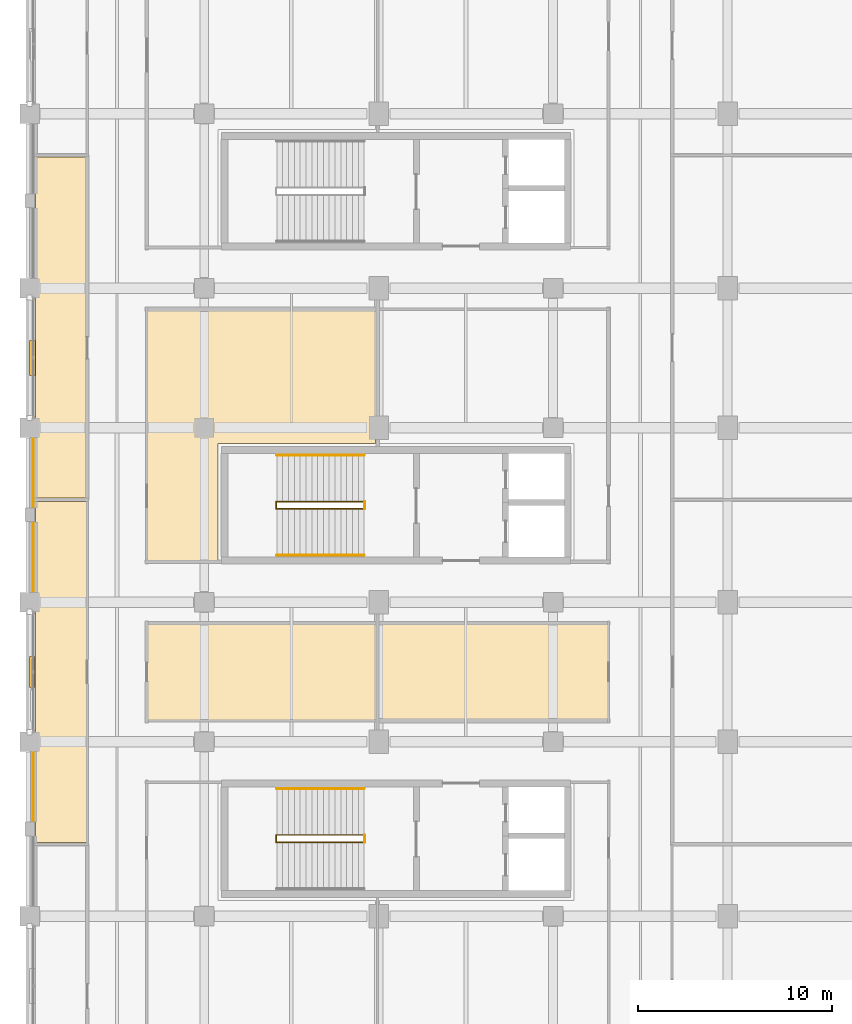
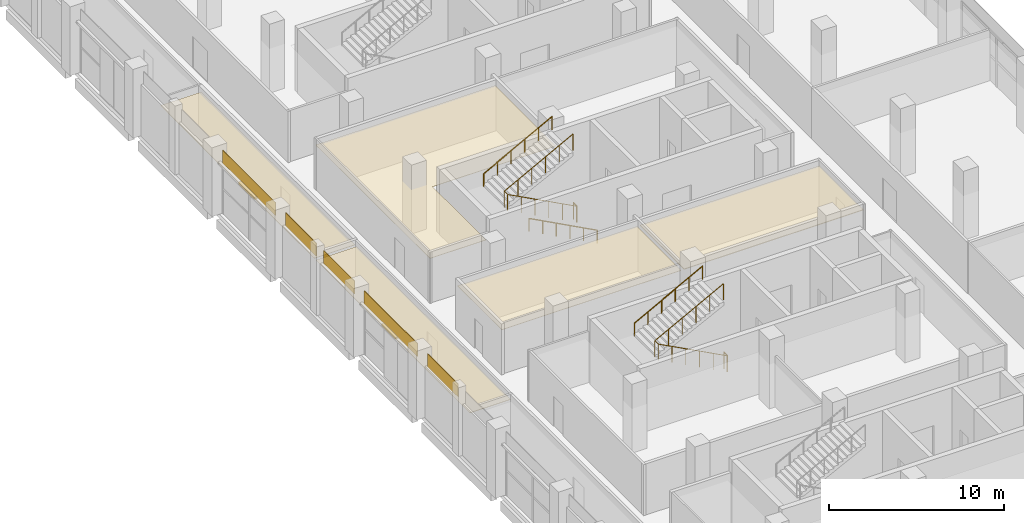
# One storey, part 95 of 111: 10 coverings, 7 railings, 2 shading devices.
"""IFC4 building model written with IfcOpenShell, lengths in metres."""

from ifc_helpers import new_model, si_unit, direction, frame, origin, origin_2d, place, context, subcontext, project, spatial, polyline, rectangle, circle, outline, extrude, material, layer, layer_set, type_object, element, save


model = new_model("IFC4")

# Units and contexts
model_context = context("Model", 3, precision=1e-05, world=origin(), true_north=direction((0.0, 1.0)))
body_context = subcontext(model_context, "Body", "Model", "MODEL_VIEW")
ifc_project = project(units=[si_unit("LENGTHUNIT", "METRE"), si_unit("AREAUNIT", "SQUARE_METRE"), si_unit("VOLUMEUNIT", "CUBIC_METRE"), si_unit("PLANEANGLEUNIT", "RADIAN"), si_unit("MASSUNIT", "GRAM", prefix="KILO"), si_unit("THERMODYNAMICTEMPERATUREUNIT", "KELVIN"), si_unit("POWERUNIT", "WATT")], contexts=[model_context])

# Site, building, storey
site_placement = place(None, origin())
site = spatial("IfcSite", under=ifc_project, at=site_placement, CompositionType="ELEMENT")
building_placement = place(site_placement, origin())
building = spatial("IfcBuilding", under=site, at=building_placement, Name="Sindhuravela Promenade Stadium", CompositionType="ELEMENT")
storey_placement = place(building_placement, frame((0.0, 0.0, 9.60009765625)))
storey = spatial("IfcBuildingStorey", under=building, at=storey_placement, Name="L02", CompositionType="ELEMENT", Elevation=9.60009765625)

# Coverings
ifc_material_1 = material(Name="Acoustic mineral-fibre ceiling tile", Category="gypsum")
ifc_layer_1 = layer(ifc_material_1, 0.02490234375)
ifc_layer_set_1 = layer_set([ifc_layer_1], Name="Acoustic mineral-fibre ceiling tile")
covering_type_1 = type_object("IfcCoveringType", Name="CV-CEIL-1", PredefinedType="CEILING", material=ifc_layer_set_1)
covering_1_placement = place(storey_placement, frame((0.0, 0.0, 3.0498046875)))
element("IfcCovering", 1, at=covering_1_placement, inside=storey, type_object=covering_type_1, Name="Acoustic ceiling Members Dining Hall West 3", PredefinedType="CEILING", context=body_context, shape_type="SweptSolid", body=[
    extrude(outline(polyline([(6.0400390625, 86.669921875), (6.0380859375, 86.670166015625), (6.0361328125, 86.67041015625), (6.0341796875, 86.6708984375), (6.0322265625, 86.67138671875), (6.030517578125, 86.67236328125), (6.02880859375, 86.67333984375), (6.02734375, 86.674560546875), (6.02587890625, 86.67578125), (6.0244140625, 86.67724609375), (6.0234375, 86.678955078125), (6.0224609375, 86.6806640625), (6.021484375, 86.682373046875), (6.02099609375, 86.68408203125), (6.0205078125, 86.68603515625), (6.02001953125, 86.68798828125), (6.02001953125, 86.68994140625), (6.02001953125, 99.7099609375), (6.02001953125, 99.7119140625), (6.0205078125, 99.7138671875), (6.02099609375, 99.7158203125), (6.021484375, 99.7177734375), (6.0224609375, 99.719482421875), (6.0234375, 99.72119140625), (6.0244140625, 99.72265625), (6.02587890625, 99.72412109375), (6.02734375, 99.7255859375), (6.02880859375, 99.7265625), (6.030517578125, 99.7275390625), (6.0322265625, 99.728515625), (6.0341796875, 99.72900390625), (6.0361328125, 99.7294921875), (6.0380859375, 99.72998046875), (6.0400390625, 99.72998046875), (17.830078125, 99.72998046875), (17.83203125, 99.72998046875), (17.833984375, 99.7294921875), (17.835693359375, 99.72900390625), (17.837646484375, 99.728515625), (17.83935546875, 99.7275390625), (17.841064453125, 99.7265625), (17.8427734375, 99.7255859375), (17.843994140625, 99.72412109375), (17.845458984375, 99.72265625), (17.8466796875, 99.72119140625), (17.84765625, 99.719482421875), (17.848388671875, 99.7177734375), (17.84912109375, 99.7158203125), (17.849609375, 99.7138671875), (17.849853515625, 99.7119140625), (17.85009765625, 99.7099609375), (17.85009765625, 92.800048828125), (17.849853515625, 92.798095703125), (17.849609375, 92.796142578125), (17.84912109375, 92.794189453125), (17.848388671875, 92.792236328125), (17.84765625, 92.79052734375), (17.8466796875, 92.788818359375), (17.845458984375, 92.787353515625), (17.843994140625, 92.785888671875), (17.8427734375, 92.784423828125), (17.841064453125, 92.783447265625), (17.83935546875, 92.782470703125), (17.837646484375, 92.781494140625), (17.835693359375, 92.781005859375), (17.833984375, 92.780517578125), (17.83203125, 92.780029296875), (17.830078125, 92.780029296875), (9.719970703125, 92.780029296875), (9.719970703125, 86.68994140625), (9.719970703125, 86.68798828125), (9.719482421875, 86.68603515625), (9.718994140625, 86.68408203125), (9.718505859375, 86.682373046875), (9.717529296875, 86.6806640625), (9.716552734375, 86.678955078125), (9.715576171875, 86.67724609375), (9.714111328125, 86.67578125), (9.712646484375, 86.674560546875), (9.711181640625, 86.67333984375), (9.70947265625, 86.67236328125), (9.707763671875, 86.67138671875), (9.705810546875, 86.6708984375), (9.703857421875, 86.67041015625), (9.701904296875, 86.670166015625), (9.699951171875, 86.669921875), (6.0400390625, 86.669921875)])), origin(), (0.0, 0.0, 1.0), 0.025146484375),
])
covering_2_placement = place(storey_placement, frame((0.0, 0.0, 3.0498046875)))
element("IfcCovering", 2, at=covering_2_placement, inside=storey, type_object=covering_type_1, Name="Acoustic ceiling Accessible WC West L02 7", PredefinedType="CEILING", context=body_context, shape_type="SweptSolid", body=[
    extrude(outline(polyline([(6.02001953125, 83.510009765625), (6.02001953125, 83.511962890625), (6.0205078125, 83.513916015625), (6.02099609375, 83.515869140625), (6.021484375, 83.517578125), (6.0224609375, 83.519287109375), (6.0234375, 83.52099609375), (6.0244140625, 83.522705078125), (6.02587890625, 83.524169921875), (6.02734375, 83.525390625), (6.02880859375, 83.526611328125), (6.030517578125, 83.527587890625), (6.0322265625, 83.528564453125), (6.0341796875, 83.529052734375), (6.0361328125, 83.529541015625), (6.0380859375, 83.52978515625), (6.0400390625, 83.530029296875), (17.830078125, 83.530029296875), (17.83203125, 83.52978515625), (17.833984375, 83.529541015625), (17.835693359375, 83.529052734375), (17.837646484375, 83.528564453125), (17.83935546875, 83.527587890625), (17.841064453125, 83.526611328125), (17.8427734375, 83.525390625), (17.843994140625, 83.524169921875), (17.845458984375, 83.522705078125), (17.8466796875, 83.52099609375), (17.84765625, 83.519287109375), (17.848388671875, 83.517578125), (17.84912109375, 83.515869140625), (17.849609375, 83.513916015625), (17.849853515625, 83.511962890625), (17.85009765625, 83.510009765625), (17.85009765625, 78.489990234375), (17.849853515625, 78.488037109375), (17.849609375, 78.486083984375), (17.84912109375, 78.484130859375), (17.848388671875, 78.482421875), (17.84765625, 78.480712890625), (17.8466796875, 78.47900390625), (17.845458984375, 78.477294921875), (17.843994140625, 78.475830078125), (17.8427734375, 78.474609375), (17.841064453125, 78.473388671875), (17.83935546875, 78.472412109375), (17.837646484375, 78.471435546875), (17.835693359375, 78.470947265625), (17.833984375, 78.470458984375), (17.83203125, 78.47021484375), (17.830078125, 78.469970703125), (6.0400390625, 78.469970703125), (6.0380859375, 78.47021484375), (6.0361328125, 78.470458984375), (6.0341796875, 78.470947265625), (6.0322265625, 78.471435546875), (6.030517578125, 78.472412109375), (6.02880859375, 78.473388671875), (6.02734375, 78.474609375), (6.02587890625, 78.475830078125), (6.0244140625, 78.477294921875), (6.0234375, 78.47900390625), (6.0224609375, 78.480712890625), (6.021484375, 78.482421875), (6.02099609375, 78.484130859375), (6.0205078125, 78.486083984375), (6.02001953125, 78.488037109375), (6.02001953125, 78.489990234375), (6.02001953125, 83.510009765625)])), origin(), (0.0, 0.0, 1.0), 0.025146484375),
])
covering_3_placement = place(storey_placement, frame((0.0, 0.0, 3.0498046875)))
element("IfcCovering", 3, at=covering_3_placement, inside=storey, type_object=covering_type_1, Name="Acoustic ceiling Club Finishing Kitchen West 11", PredefinedType="CEILING", context=body_context, shape_type="SweptSolid", body=[
    extrude(outline(polyline([(0.300048828125, 107.5380859375), (0.300048828125, 107.5400390625), (0.30029296875, 107.5419921875), (0.30078125, 107.543701171875), (0.301513671875, 107.545654296875), (0.302490234375, 107.54736328125), (0.303466796875, 107.549072265625), (0.304443359375, 107.55078125), (0.305908203125, 107.552001953125), (0.307373046875, 107.553466796875), (0.308837890625, 107.5546875), (0.310546875, 107.5556640625), (0.312255859375, 107.556396484375), (0.314208984375, 107.55712890625), (0.316162109375, 107.5576171875), (0.318115234375, 107.557861328125), (0.320068359375, 107.55810546875), (2.9599609375, 107.55810546875), (2.9619140625, 107.557861328125), (2.9638671875, 107.5576171875), (2.9658203125, 107.55712890625), (2.9677734375, 107.556396484375), (2.969482421875, 107.5556640625), (2.97119140625, 107.5546875), (2.97265625, 107.553466796875), (2.97412109375, 107.552001953125), (2.9755859375, 107.55078125), (2.9765625, 107.549072265625), (2.9775390625, 107.54736328125), (2.978515625, 107.545654296875), (2.97900390625, 107.543701171875), (2.9794921875, 107.5419921875), (2.97998046875, 107.5400390625), (2.97998046875, 107.5380859375), (2.97998046875, 90.006103515625), (2.97998046875, 90.00390625), (2.9794921875, 90.002197265625), (2.97900390625, 90.000244140625), (2.978515625, 89.998291015625), (2.9775390625, 89.99658203125), (2.9765625, 89.994873046875), (2.9755859375, 89.993408203125), (2.97412109375, 89.991943359375), (2.97265625, 89.990478515625), (2.97119140625, 89.989501953125), (2.969482421875, 89.98828125), (2.9677734375, 89.987548828125), (2.9658203125, 89.98681640625), (2.9638671875, 89.986328125), (2.9619140625, 89.986083984375), (2.9599609375, 89.986083984375), (0.320068359375, 89.986083984375), (0.318115234375, 89.986083984375), (0.316162109375, 89.986328125), (0.314208984375, 89.98681640625), (0.312255859375, 89.987548828125), (0.310546875, 89.98828125), (0.308837890625, 89.989501953125), (0.307373046875, 89.990478515625), (0.305908203125, 89.991943359375), (0.304443359375, 89.993408203125), (0.303466796875, 89.994873046875), (0.302490234375, 89.99658203125), (0.301513671875, 89.998291015625), (0.30078125, 90.000244140625), (0.30029296875, 90.002197265625), (0.300048828125, 90.00390625), (0.300048828125, 90.006103515625), (0.300048828125, 107.5380859375)])), origin(), (0.0, 0.0, 1.0), 0.025146484375),
])
covering_4_placement = place(storey_placement, frame((0.0, 0.0, 3.0498046875)))
element("IfcCovering", 4, at=covering_4_placement, inside=storey, type_object=covering_type_1, Name="Acoustic ceiling VIP Coat and Concierge Room 13", PredefinedType="CEILING", context=body_context, shape_type="SweptSolid", body=[
    extrude(outline(polyline([(0.300048828125, 89.76611328125), (0.300048828125, 89.76806640625), (0.30029296875, 89.77001953125), (0.30078125, 89.771728515625), (0.301513671875, 89.773681640625), (0.302490234375, 89.775390625), (0.303466796875, 89.777099609375), (0.304443359375, 89.77880859375), (0.305908203125, 89.780029296875), (0.307373046875, 89.781494140625), (0.308837890625, 89.78271484375), (0.310546875, 89.78369140625), (0.312255859375, 89.784423828125), (0.314208984375, 89.78515625), (0.316162109375, 89.78564453125), (0.318115234375, 89.785888671875), (0.320068359375, 89.785888671875), (2.9599609375, 89.785888671875), (2.9619140625, 89.785888671875), (2.9638671875, 89.78564453125), (2.9658203125, 89.78515625), (2.9677734375, 89.784423828125), (2.969482421875, 89.78369140625), (2.97119140625, 89.78271484375), (2.97265625, 89.781494140625), (2.97412109375, 89.780029296875), (2.9755859375, 89.77880859375), (2.9765625, 89.777099609375), (2.9775390625, 89.775390625), (2.978515625, 89.773681640625), (2.97900390625, 89.771728515625), (2.9794921875, 89.77001953125), (2.97998046875, 89.76806640625), (2.97998046875, 89.76611328125), (2.97998046875, 72.23388671875), (2.97998046875, 72.23193359375), (2.9794921875, 72.22998046875), (2.97900390625, 72.228271484375), (2.978515625, 72.226318359375), (2.9775390625, 72.224609375), (2.9765625, 72.222900390625), (2.9755859375, 72.22119140625), (2.97412109375, 72.219970703125), (2.97265625, 72.218505859375), (2.97119140625, 72.21728515625), (2.969482421875, 72.21630859375), (2.9677734375, 72.215576171875), (2.9658203125, 72.21484375), (2.9638671875, 72.21435546875), (2.9619140625, 72.214111328125), (2.9599609375, 72.214111328125), (0.320068359375, 72.214111328125), (0.318115234375, 72.214111328125), (0.316162109375, 72.21435546875), (0.314208984375, 72.21484375), (0.312255859375, 72.215576171875), (0.310546875, 72.21630859375), (0.308837890625, 72.21728515625), (0.307373046875, 72.218505859375), (0.305908203125, 72.219970703125), (0.304443359375, 72.22119140625), (0.303466796875, 72.222900390625), (0.302490234375, 72.224609375), (0.301513671875, 72.226318359375), (0.30078125, 72.228271484375), (0.30029296875, 72.22998046875), (0.300048828125, 72.23193359375), (0.300048828125, 72.23388671875), (0.300048828125, 89.76611328125)])), origin(), (0.0, 0.0, 1.0), 0.025146484375),
])
ifc_layer_2 = layer(ifc_material_1, 0.044921875)
ifc_layer_set_2 = layer_set([ifc_layer_2], Name="Acoustic mineral-fibre ceiling tile")
covering_type_2 = type_object("IfcCoveringType", Name="CV-CEIL-2", PredefinedType="CEILING", material=ifc_layer_set_2)
covering_5_placement = place(storey_placement, frame((0.0, 0.0, 3.0498046875)))
element("IfcCovering", 5, at=covering_5_placement, inside=storey, type_object=covering_type_2, Name="Acoustic ceiling Club Toilet Suite West L02 8", PredefinedType="CEILING", context=body_context, shape_type="SweptSolid", body=[
    extrude(outline(polyline([(29.860107421875, 83.530029296875), (29.862060546875, 83.52978515625), (29.864013671875, 83.529541015625), (29.86572265625, 83.529052734375), (29.86767578125, 83.528564453125), (29.869384765625, 83.527587890625), (29.87109375, 83.526611328125), (29.872802734375, 83.525390625), (29.8740234375, 83.524169921875), (29.87548828125, 83.522705078125), (29.876708984375, 83.52099609375), (29.877685546875, 83.519287109375), (29.87841796875, 83.517578125), (29.879150390625, 83.515869140625), (29.879638671875, 83.513916015625), (29.8798828125, 83.511962890625), (29.8798828125, 83.510009765625), (29.8798828125, 78.489990234375), (29.8798828125, 78.488037109375), (29.879638671875, 78.486083984375), (29.879150390625, 78.484130859375), (29.87841796875, 78.482421875), (29.877685546875, 78.480712890625), (29.876708984375, 78.47900390625), (29.87548828125, 78.477294921875), (29.8740234375, 78.475830078125), (29.872802734375, 78.474609375), (29.87109375, 78.473388671875), (29.869384765625, 78.472412109375), (29.86767578125, 78.471435546875), (29.86572265625, 78.470947265625), (29.864013671875, 78.470458984375), (29.862060546875, 78.47021484375), (29.860107421875, 78.469970703125), (18.070068359375, 78.469970703125), (18.068115234375, 78.47021484375), (18.066162109375, 78.470458984375), (18.064208984375, 78.470947265625), (18.062255859375, 78.471435546875), (18.060546875, 78.472412109375), (18.058837890625, 78.473388671875), (18.057373046875, 78.474609375), (18.055908203125, 78.475830078125), (18.054443359375, 78.477294921875), (18.053466796875, 78.47900390625), (18.052490234375, 78.480712890625), (18.051513671875, 78.482421875), (18.05078125, 78.484130859375), (18.05029296875, 78.486083984375), (18.050048828125, 78.488037109375), (18.050048828125, 78.489990234375), (18.050048828125, 83.510009765625), (18.050048828125, 83.511962890625), (18.05029296875, 83.513916015625), (18.05078125, 83.515869140625), (18.051513671875, 83.517578125), (18.052490234375, 83.519287109375), (18.053466796875, 83.52099609375), (18.054443359375, 83.522705078125), (18.055908203125, 83.524169921875), (18.057373046875, 83.525390625), (18.058837890625, 83.526611328125), (18.060546875, 83.527587890625), (18.062255859375, 83.528564453125), (18.064208984375, 83.529052734375), (18.066162109375, 83.529541015625), (18.068115234375, 83.52978515625), (18.070068359375, 83.530029296875), (29.860107421875, 83.530029296875)])), origin(), (0.0, 0.0, 1.0), 0.045166015625),
])
ifc_material_2 = material(Name="Polychrome trencadis ceramic mosaic", Category="masonry")
ifc_layer_3 = layer(ifc_material_2, 0.034912109375)
ifc_layer_set_3 = layer_set([ifc_layer_3], Name="Polychrome trencadis ceramic mosaic")
covering_type_3 = type_object("IfcCoveringType", Name="CV-TRENC-1", PredefinedType="CLADDING", material=ifc_layer_set_3)
for number, where, z_axis, x_axis, name in (
    (6, (0.179931640625, 75.074951171875, 3.5546875), (0.0, 0.0, 1.0), (0.0, 1.0, 0.0), "Trencadis ceramic mosaic spandrel frieze WEST L02-34"),
    (7, (0.179931640625, 86.925048828125, 3.5546875), (0.0, 0.0, 1.0), (0.0, 1.0, 0.0), "Trencadis ceramic mosaic spandrel frieze WEST L02-36"),
):
    element("IfcCovering", number, at=place(storey_placement, frame(where, z_axis=z_axis, x_axis=x_axis)), inside=storey, type_object=covering_type_3, Name=name, PredefinedType="CLADDING", context=body_context, shape_type="SweptSolid", body=[
        extrude(rectangle(XDim=3.52001953125, YDim=0.034912109375, at=origin_2d()), origin(), (0.0, 0.0, 1.0), 0.905029296875),
    ])
covering_6_placement = place(storey_placement, frame((0.179931640625, 97.199951171875, 3.5546875), z_axis=(0.0, 0.0, 1.0), x_axis=(0.0, 1.0, 0.0)))
element("IfcCovering", 8, at=covering_6_placement, inside=storey, type_object=covering_type_3, Name="Trencadis ceramic mosaic spandrel frieze WEST L02-38", PredefinedType="CLADDING", context=body_context, shape_type="SweptSolid", body=[
    extrude(rectangle(XDim=6.070068359375, YDim=0.034912109375, at=origin_2d()), origin(), (0.0, 0.0, 1.0), 0.905029296875),
])
ifc_layer_4 = layer(ifc_material_2, 0.050048828125)
ifc_layer_set_4 = layer_set([ifc_layer_4], Name="Polychrome trencadis ceramic mosaic")
covering_type_4 = type_object("IfcCoveringType", Name="CV-TRENC-2", PredefinedType="CLADDING", material=ifc_layer_set_4)
covering_7_placement = place(storey_placement, frame((0.179931640625, 81.0, 3.5546875), z_axis=(0.0, 0.0, 1.0), x_axis=(0.0, 1.0, 0.0)))
element("IfcCovering", 9, at=covering_7_placement, inside=storey, type_object=covering_type_4, Name="Trencadis ceramic mosaic spandrel frieze WEST L02-35", PredefinedType="CLADDING", context=body_context, shape_type="SweptSolid", body=[
    extrude(rectangle(XDim=6.070068359375, YDim=0.050048828125, at=origin_2d()), origin(), (0.0, 0.0, 1.0), 0.905029296875),
])
covering_8_placement = place(storey_placement, frame((0.179931640625, 91.27490234375, 3.5546875), z_axis=(0.0, 0.0, 1.0), x_axis=(0.0, 1.0, 0.0)))
element("IfcCovering", 10, at=covering_8_placement, inside=storey, type_object=covering_type_4, Name="Trencadis ceramic mosaic spandrel frieze WEST L02-37", PredefinedType="CLADDING", context=body_context, shape_type="SweptSolid", body=[
    extrude(rectangle(XDim=3.52001953125, YDim=0.050048828125, at=origin_2d()), origin(), (0.0, 0.0, 1.0), 0.905029296875),
])

# Railings
ifc_material_3 = material(Name="Architectural wrought steel E350", Category="steel")
railing_type_1 = type_object("IfcRailingType", Name="RL-GRD-1150", PredefinedType="GUARDRAIL", material=ifc_material_3)
railing_1_placement = place(storey_placement, frame((17.25, 72.2099609375, 0.0)))
element("IfcRailing", 11, at=railing_1_placement, inside=storey, type_object=railing_type_1, Name="Stair ST02 inner well guard (L02)", PredefinedType="GUARDRAIL", context=body_context, shape_type="SweptSolid", body=[
    extrude(circle(Radius=0.02392578125, at=origin_2d()), frame((0.0, 0.0, 1.1259765625), z_axis=(-0.8836546633431795, 0.0, 0.46813933390802775), x_axis=(0.0, -1.0, 0.0)), (0.0, 0.0, 1.0), 5.12646484375),
    extrude(circle(Radius=0.02392578125, at=origin_2d()), frame((-4.530029296875, 0.0, 3.52587890625), z_axis=(0.0, 1.0, 0.0), x_axis=(-1.0, 0.0, 0.0)), (0.0, 0.0, 1.0), 0.380126953125),
    extrude(circle(Radius=0.02392578125, at=origin_2d()), frame((-4.530029296875, 0.380126953125, 3.52587890625), z_axis=(0.8836546633431795, 0.0, 0.46813933390802775), x_axis=(0.0, 1.0, 0.0)), (0.0, 0.0, 1.0), 5.12646484375),
    extrude(circle(Radius=0.02099609375, at=origin_2d()), origin(), (0.0, 0.0, 1.0), 1.101806640625),
    extrude(circle(Radius=0.02099609375, at=origin_2d()), frame((-0.906005859375, 0.0, 0.47998046875)), (0.0, 0.0, 1.0), 1.101806640625),
    extrude(circle(Radius=0.02099609375, at=origin_2d()), frame((-1.81201171875, 0.0, 0.9599609375)), (0.0, 0.0, 1.0), 1.101806640625),
    extrude(circle(Radius=0.02099609375, at=origin_2d()), frame((-2.718017578125, 0.0, 1.43994140625)), (0.0, 0.0, 1.0), 1.101806640625),
    extrude(circle(Radius=0.02099609375, at=origin_2d()), frame((-3.6240234375, 0.0, 1.919921875)), (0.0, 0.0, 1.0), 1.101806640625),
    extrude(circle(Radius=0.02099609375, at=origin_2d()), frame((-4.530029296875, 0.0, 2.39990234375)), (0.0, 0.0, 1.0), 1.101806640625),
    extrude(circle(Radius=0.02099609375, at=origin_2d()), frame((-4.530029296875, 0.380126953125, 2.39990234375)), (0.0, 0.0, 1.0), 1.101806640625),
    extrude(circle(Radius=0.02099609375, at=origin_2d()), frame((-3.6240234375, 0.380126953125, 2.8798828125)), (0.0, 0.0, 1.0), 1.101806640625),
    extrude(circle(Radius=0.02099609375, at=origin_2d()), frame((-2.718017578125, 0.380126953125, 3.35986328125)), (0.0, 0.0, 1.0), 1.101806640625),
    extrude(circle(Radius=0.02099609375, at=origin_2d()), frame((-1.81201171875, 0.380126953125, 3.83984375)), (0.0, 0.0, 1.0), 1.101806640625),
    extrude(circle(Radius=0.02099609375, at=origin_2d()), frame((-0.906005859375, 0.380126953125, 4.31982421875)), (0.0, 0.0, 1.0), 1.101806640625),
    extrude(circle(Radius=0.02099609375, at=origin_2d()), frame((0.0, 0.380126953125, 4.7998046875)), (0.0, 0.0, 1.0), 1.101806640625),
])
railing_2_placement = place(storey_placement, frame((17.280029296875, 72.2099609375, 0.0)))
element("IfcRailing", 12, at=railing_2_placement, inside=storey, type_object=railing_type_1, Name="Stair ST02 landing well slot guard (L02)", PredefinedType="GUARDRAIL", context=body_context, shape_type="SweptSolid", body=[
    extrude(circle(Radius=0.02392578125, at=origin_2d()), frame((0.0, 0.0, 1.1259765625), z_axis=(0.0, 1.0, 0.0), x_axis=(-1.0, 0.0, 0.0)), (0.0, 0.0, 1.0), 0.380126953125),
    extrude(circle(Radius=0.02099609375, at=origin_2d()), origin(), (0.0, 0.0, 1.0), 1.101806640625),
    extrude(circle(Radius=0.02099609375, at=origin_2d()), frame((0.0, 0.380126953125, 0.0)), (0.0, 0.0, 1.0), 1.101806640625),
])
railing_3_placement = place(storey_placement, frame((17.25, 89.409912109375, 0.0)))
element("IfcRailing", 13, at=railing_3_placement, inside=storey, type_object=railing_type_1, Name="Stair ST03 inner well guard (L02)", PredefinedType="GUARDRAIL", context=body_context, shape_type="SweptSolid", body=[
    extrude(circle(Radius=0.02392578125, at=origin_2d()), frame((0.0, 0.0, 1.1259765625), z_axis=(-0.8836546633431795, 0.0, 0.46813933390802775), x_axis=(0.0, -1.0, 0.0)), (0.0, 0.0, 1.0), 5.12646484375),
    extrude(circle(Radius=0.02392578125, at=origin_2d()), frame((-4.530029296875, 0.0, 3.52587890625), z_axis=(0.0, 1.0, 0.0), x_axis=(-1.0, 0.0, 0.0)), (0.0, 0.0, 1.0), 0.380126953125),
    extrude(circle(Radius=0.02392578125, at=origin_2d()), frame((-4.530029296875, 0.380126953125, 3.52587890625), z_axis=(0.8836546633431795, 0.0, 0.46813933390802775), x_axis=(0.0, 1.0, 0.0)), (0.0, 0.0, 1.0), 5.12646484375),
    extrude(circle(Radius=0.02099609375, at=origin_2d()), origin(), (0.0, 0.0, 1.0), 1.101806640625),
    extrude(circle(Radius=0.02099609375, at=origin_2d()), frame((-0.906005859375, 0.0, 0.47998046875)), (0.0, 0.0, 1.0), 1.101806640625),
    extrude(circle(Radius=0.02099609375, at=origin_2d()), frame((-1.81201171875, 0.0, 0.9599609375)), (0.0, 0.0, 1.0), 1.101806640625),
    extrude(circle(Radius=0.02099609375, at=origin_2d()), frame((-2.718017578125, 0.0, 1.43994140625)), (0.0, 0.0, 1.0), 1.101806640625),
    extrude(circle(Radius=0.02099609375, at=origin_2d()), frame((-3.6240234375, 0.0, 1.919921875)), (0.0, 0.0, 1.0), 1.101806640625),
    extrude(circle(Radius=0.02099609375, at=origin_2d()), frame((-4.530029296875, 0.0, 2.39990234375)), (0.0, 0.0, 1.0), 1.101806640625),
    extrude(circle(Radius=0.02099609375, at=origin_2d()), frame((-4.530029296875, 0.380126953125, 2.39990234375)), (0.0, 0.0, 1.0), 1.101806640625),
    extrude(circle(Radius=0.02099609375, at=origin_2d()), frame((-3.6240234375, 0.380126953125, 2.8798828125)), (0.0, 0.0, 1.0), 1.101806640625),
    extrude(circle(Radius=0.02099609375, at=origin_2d()), frame((-2.718017578125, 0.380126953125, 3.35986328125)), (0.0, 0.0, 1.0), 1.101806640625),
    extrude(circle(Radius=0.02099609375, at=origin_2d()), frame((-1.81201171875, 0.380126953125, 3.83984375)), (0.0, 0.0, 1.0), 1.101806640625),
    extrude(circle(Radius=0.02099609375, at=origin_2d()), frame((-0.906005859375, 0.380126953125, 4.31982421875)), (0.0, 0.0, 1.0), 1.101806640625),
    extrude(circle(Radius=0.02099609375, at=origin_2d()), frame((0.0, 0.380126953125, 4.7998046875)), (0.0, 0.0, 1.0), 1.101806640625),
])
railing_4_placement = place(storey_placement, frame((17.280029296875, 89.409912109375, 0.0)))
element("IfcRailing", 14, at=railing_4_placement, inside=storey, type_object=railing_type_1, Name="Stair ST03 landing well slot guard (L02)", PredefinedType="GUARDRAIL", context=body_context, shape_type="SweptSolid", body=[
    extrude(circle(Radius=0.02392578125, at=origin_2d()), frame((0.0, 0.0, 1.1259765625), z_axis=(0.0, 1.0, 0.0), x_axis=(-1.0, 0.0, 0.0)), (0.0, 0.0, 1.0), 0.380126953125),
    extrude(circle(Radius=0.02099609375, at=origin_2d()), origin(), (0.0, 0.0, 1.0), 1.101806640625),
    extrude(circle(Radius=0.02099609375, at=origin_2d()), frame((0.0, 0.380126953125, 0.0)), (0.0, 0.0, 1.0), 1.101806640625),
])
railing_type_2 = type_object("IfcRailingType", Name="RL-HND-920", PredefinedType="HANDRAIL", material=ifc_material_3)
railing_5_placement = place(storey_placement, frame((12.75, 74.97998046875, 2.39990234375)))
element("IfcRailing", 15, at=railing_5_placement, inside=storey, type_object=railing_type_2, Name="Stair ST02 upper wall handrail (L02)", PredefinedType="HANDRAIL", context=body_context, shape_type="SweptSolid", body=[
    extrude(circle(Radius=0.02392578125, at=origin_2d()), frame((0.0, 0.0, 0.89599609375), z_axis=(0.8823608919668723, 0.0, 0.4705733272588083), x_axis=(0.0, 1.0, 0.0)), (0.0, 0.0, 1.0), 5.099853515625),
    extrude(circle(Radius=0.02099609375, at=origin_2d()), origin(), (0.0, 0.0, 1.0), 0.871826171875),
    extrude(circle(Radius=0.02099609375, at=origin_2d()), frame((0.89990234375, 0.0, 0.47998046875)), (0.0, 0.0, 1.0), 0.871826171875),
    extrude(circle(Radius=0.02099609375, at=origin_2d()), frame((1.800048828125, 0.0, 0.9599609375)), (0.0, 0.0, 1.0), 0.871826171875),
    extrude(circle(Radius=0.02099609375, at=origin_2d()), frame((2.699951171875, 0.0, 1.43994140625)), (0.0, 0.0, 1.0), 0.871826171875),
    extrude(circle(Radius=0.02099609375, at=origin_2d()), frame((3.60009765625, 0.0, 1.919921875)), (0.0, 0.0, 1.0), 0.871826171875),
    extrude(circle(Radius=0.02099609375, at=origin_2d()), frame((4.5, 0.0, 2.39990234375)), (0.0, 0.0, 1.0), 0.871826171875),
])
railing_6_placement = place(storey_placement, frame((17.25, 87.02001953125, 0.0)))
element("IfcRailing", 16, at=railing_6_placement, inside=storey, type_object=railing_type_2, Name="Stair ST03 lower wall handrail (L02)", PredefinedType="HANDRAIL", context=body_context, shape_type="SweptSolid", body=[
    extrude(circle(Radius=0.02392578125, at=origin_2d()), frame((0.0, 0.0, 0.89599609375), z_axis=(-0.8823608919668723, 0.0, 0.4705733272588083), x_axis=(0.0, -1.0, 0.0)), (0.0, 0.0, 1.0), 5.099853515625),
    extrude(circle(Radius=0.02099609375, at=origin_2d()), origin(), (0.0, 0.0, 1.0), 0.871826171875),
    extrude(circle(Radius=0.02099609375, at=origin_2d()), frame((-0.89990234375, 0.0, 0.47998046875)), (0.0, 0.0, 1.0), 0.871826171875),
    extrude(circle(Radius=0.02099609375, at=origin_2d()), frame((-1.800048828125, 0.0, 0.9599609375)), (0.0, 0.0, 1.0), 0.871826171875),
    extrude(circle(Radius=0.02099609375, at=origin_2d()), frame((-2.699951171875, 0.0, 1.43994140625)), (0.0, 0.0, 1.0), 0.871826171875),
    extrude(circle(Radius=0.02099609375, at=origin_2d()), frame((-3.60009765625, 0.0, 1.919921875)), (0.0, 0.0, 1.0), 0.871826171875),
    extrude(circle(Radius=0.02099609375, at=origin_2d()), frame((-4.5, 0.0, 2.39990234375)), (0.0, 0.0, 1.0), 0.871826171875),
])
railing_7_placement = place(storey_placement, frame((12.75, 92.179931640625, 2.39990234375)))
element("IfcRailing", 17, at=railing_7_placement, inside=storey, type_object=railing_type_2, Name="Stair ST03 upper wall handrail (L02)", PredefinedType="HANDRAIL", context=body_context, shape_type="SweptSolid", body=[
    extrude(circle(Radius=0.02392578125, at=origin_2d()), frame((0.0, 0.0, 0.89599609375), z_axis=(0.8823608919668723, 0.0, 0.4705733272588083), x_axis=(0.0, 1.0, 0.0)), (0.0, 0.0, 1.0), 5.099853515625),
    extrude(circle(Radius=0.02099609375, at=origin_2d()), origin(), (0.0, 0.0, 1.0), 0.871826171875),
    extrude(circle(Radius=0.02099609375, at=origin_2d()), frame((0.89990234375, 0.0, 0.47998046875)), (0.0, 0.0, 1.0), 0.871826171875),
    extrude(circle(Radius=0.02099609375, at=origin_2d()), frame((1.800048828125, 0.0, 0.9599609375)), (0.0, 0.0, 1.0), 0.871826171875),
    extrude(circle(Radius=0.02099609375, at=origin_2d()), frame((2.699951171875, 0.0, 1.43994140625)), (0.0, 0.0, 1.0), 0.871826171875),
    extrude(circle(Radius=0.02099609375, at=origin_2d()), frame((3.60009765625, 0.0, 1.919921875)), (0.0, 0.0, 1.0), 0.871826171875),
    extrude(circle(Radius=0.02099609375, at=origin_2d()), frame((4.5, 0.0, 2.39990234375)), (0.0, 0.0, 1.0), 0.871826171875),
])

# Shading devices
ifc_material_4 = material(Name="Perforated terracotta celosia brick (15 MPa)", Category="masonry")
shading_device_type_1 = type_object("IfcShadingDeviceType", Name="SH-JAL-1", PredefinedType="JALOUSIE", material=ifc_material_4)
shading_device_1_placement = place(storey_placement, frame((0.139892578125, 81.0, 3.4599609375), z_axis=(0.0, 0.0, 1.0), x_axis=(0.0, 1.0, 0.0)))
element("IfcShadingDevice", 18, at=shading_device_1_placement, inside=storey, type_object=shading_device_type_1, Name="Terracotta solar shading louvre WEST L02-8", PredefinedType="JALOUSIE", context=body_context, shape_type="SweptSolid", body=[
    extrude(rectangle(XDim=1.580078125, YDim=0.280029296875, at=origin_2d()), origin(), (0.0, 0.0, 1.0), 0.1201171875),
])
shading_device_type_2 = type_object("IfcShadingDeviceType", Name="SH-JAL-2", PredefinedType="JALOUSIE", material=ifc_material_4)
shading_device_2_placement = place(storey_placement, frame((0.139892578125, 97.199951171875, 3.4501953125), z_axis=(0.0, 0.0, 1.0), x_axis=(0.0, 1.0, 0.0)))
element("IfcShadingDevice", 19, at=shading_device_2_placement, inside=storey, type_object=shading_device_type_2, Name="Terracotta solar shading louvre WEST L02-9", PredefinedType="JALOUSIE", context=body_context, shape_type="SweptSolid", body=[
    extrude(rectangle(XDim=1.800048828125, YDim=0.320068359375, at=origin_2d()), origin(), (0.0, 0.0, 1.0), 0.139892578125),
])

save(model, "model.ifc")
